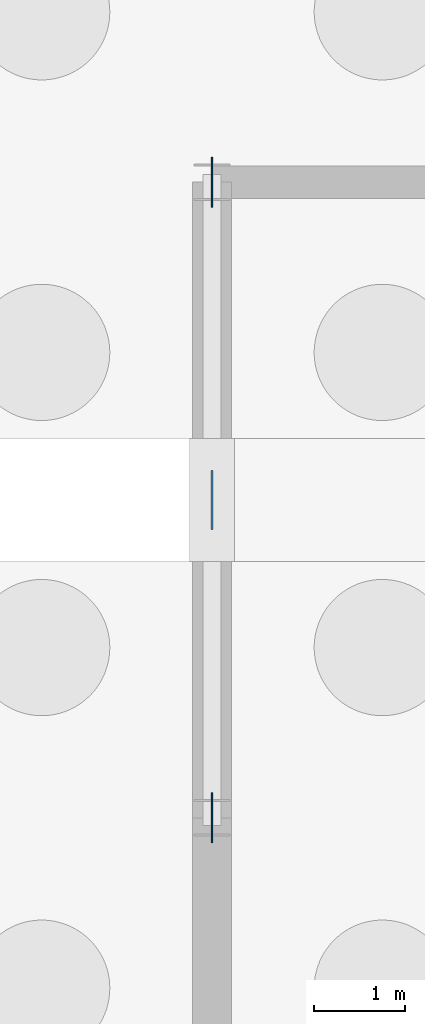
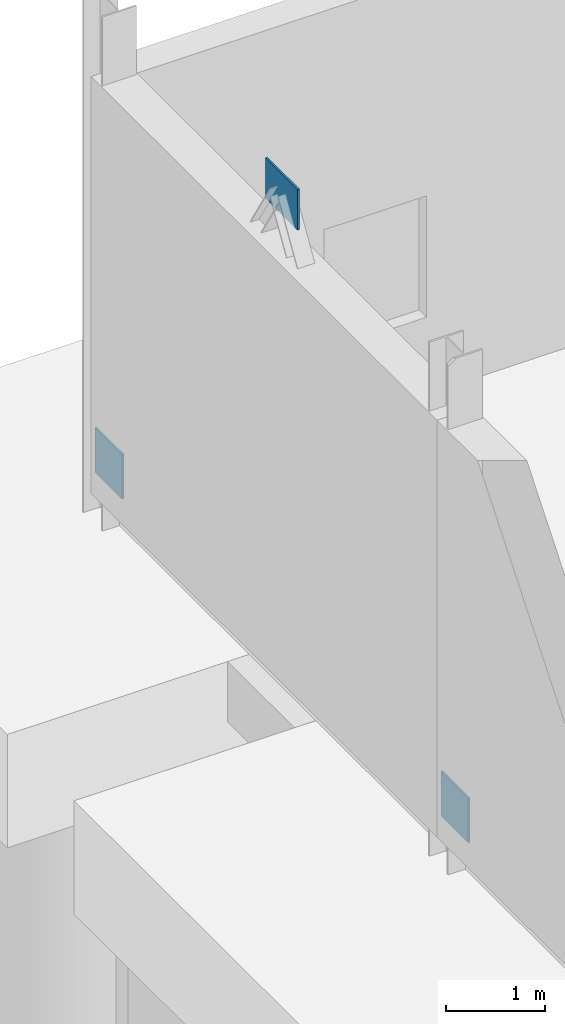
# One storey, part 112 of 139: 3 plates.
"""IFC4 building model written with IfcOpenShell, lengths in metres."""

from ifc_helpers import new_model, si_unit, direction, frame, origin, origin_2d, place, context, subcontext, project, spatial, rectangle, extrude, material, layer, layer_set, type_object, element, save


model = new_model("IFC4")

# Units and contexts
model_context = context("Model", 3, precision=1e-05, world=origin(), true_north=direction((0.0, 1.0)))
body_context = subcontext(model_context, "Body", "Model", "MODEL_VIEW")
ifc_project = project(units=[si_unit("LENGTHUNIT", "METRE"), si_unit("AREAUNIT", "SQUARE_METRE"), si_unit("VOLUMEUNIT", "CUBIC_METRE"), si_unit("PLANEANGLEUNIT", "RADIAN"), si_unit("MASSUNIT", "GRAM", prefix="KILO")], contexts=[model_context])

# Site, building, storey
site_placement = place(None, origin())
site = spatial("IfcSite", under=ifc_project, at=site_placement, CompositionType="ELEMENT")
building_placement = place(site_placement, origin())
building = spatial("IfcBuilding", under=site, at=building_placement, Name="Kazenagashi Tramway Depot", CompositionType="ELEMENT")
storey_placement = place(building_placement, origin())
storey = spatial("IfcBuildingStorey", under=building, at=storey_placement, Name="L01", CompositionType="ELEMENT", Elevation=0.0)

# Plates
ifc_material = material(Name="Steel SN490B", Category="steel")
ifc_layer_1 = layer(ifc_material, 0.022)
ifc_layer_set_1 = layer_set([ifc_layer_1], Name="Steel SN490B")
plate_type_1 = type_object("IfcPlateType", Name="GP-01", PredefinedType="USERDEFINED", material=ifc_layer_set_1)
for number, where, z_axis, x_axis, name in (
    (1, (0.0, 56.0, 0.025), (0.0, 0.0, 1.0), (0.0, 1.0, 0.0), "Structural Node Plate GP-01 PLT-0168"),
    (2, (0.0, 63.0, 0.025), (0.0, 0.0, 1.0), (0.0, 1.0, 0.0), "Structural Node Plate GP-01 PLT-0169"),
):
    element("IfcPlate", number, at=place(storey_placement, frame(where, z_axis=z_axis, x_axis=x_axis)), inside=storey, type_object=plate_type_1, Name=name, ObjectType="GUSSET PLATE", PredefinedType="USERDEFINED", context=body_context, shape_type="SweptSolid", body=[
        extrude(rectangle(XDim=0.55, YDim=0.022, at=origin_2d()), origin(), (0.0, 0.0, 1.0), 0.55),
    ])
ifc_layer_2 = layer(ifc_material, 0.025)
ifc_layer_set_2 = layer_set([ifc_layer_2], Name="Steel SN490B")
plate_type_2 = type_object("IfcPlateType", Name="GP-04", PredefinedType="USERDEFINED", material=ifc_layer_set_2)
plate_placement = place(storey_placement, frame((0.0, 59.5, 5.5), z_axis=(0.0, 0.0, 1.0), x_axis=(0.0, 1.0, 0.0)))
element("IfcPlate", 3, at=plate_placement, inside=storey, type_object=plate_type_2, Name="Structural Node Plate GP-04 PLT-0103", ObjectType="GUSSET PLATE", PredefinedType="USERDEFINED", context=body_context, shape_type="SweptSolid", body=[
    extrude(rectangle(XDim=0.65, YDim=0.025, at=origin_2d()), origin(), (0.0, 0.0, 1.0), 0.5),
])

save(model, "model.ifc")
